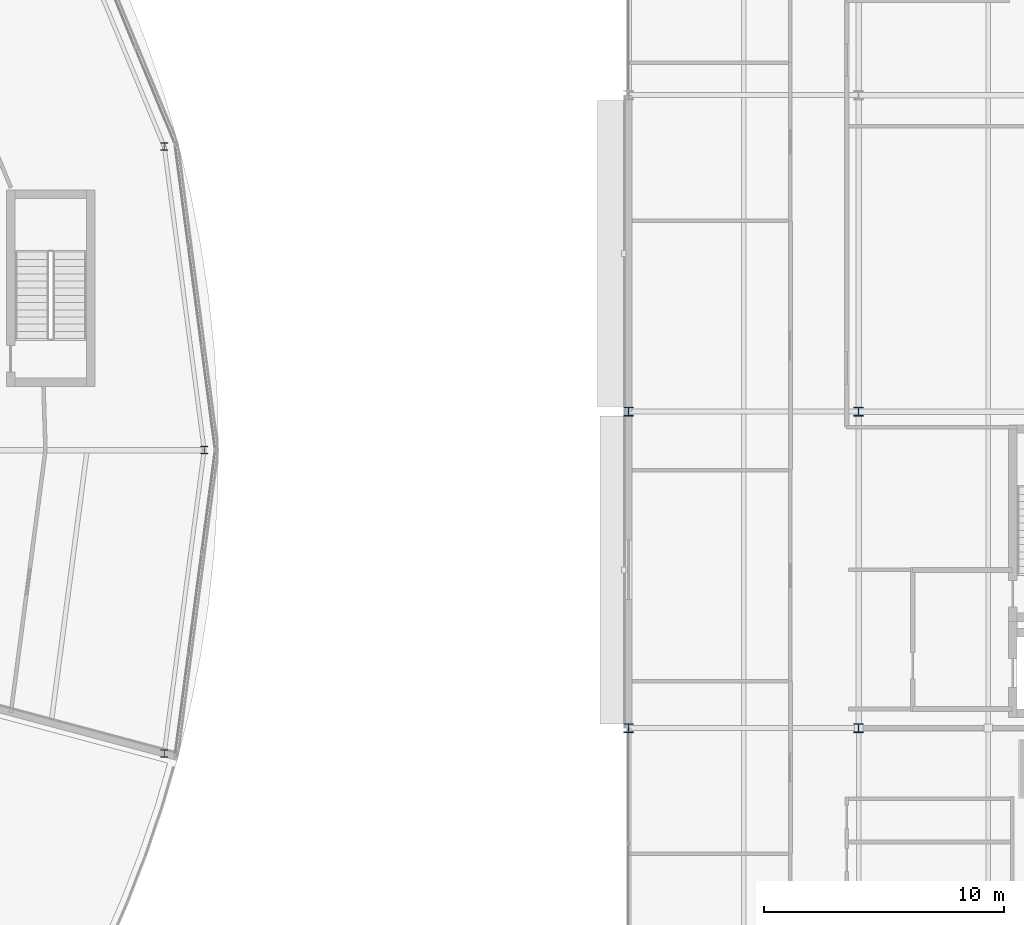
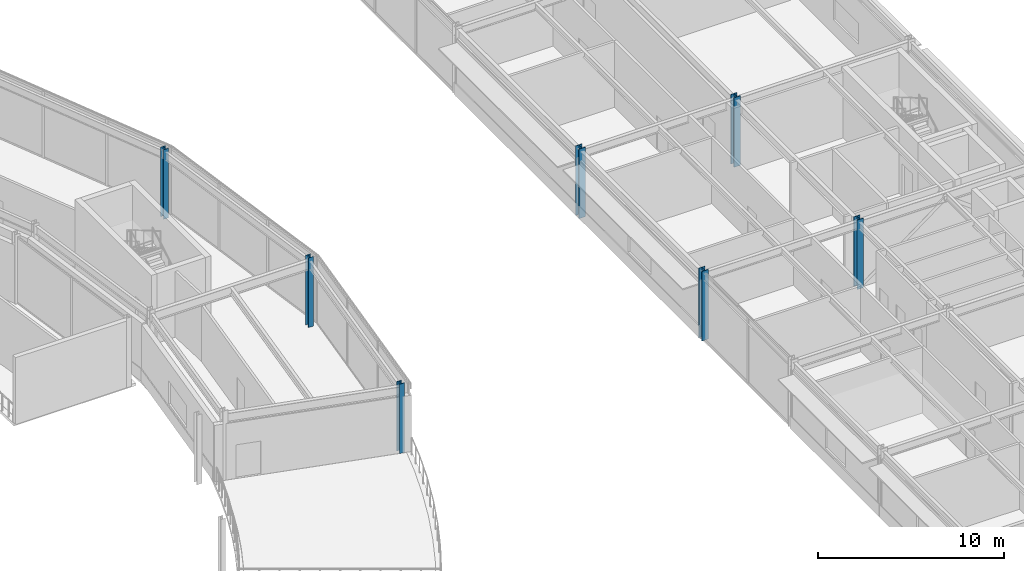
# One storey, part 14 of 116: 7 columns.
"""IFC4 building model written with IfcOpenShell, lengths in metres."""

from ifc_helpers import new_model, si_unit, direction, frame, origin, origin_2d, place, context, subcontext, project, spatial, i_section, extrude, material, material_profile, profile_set, type_object, element, save


model = new_model("IFC4")

# Units and contexts
model_context = context("Model", 3, precision=1e-05, world=origin(), true_north=direction((0.0, 1.0)))
body_context = subcontext(model_context, "Body", "Model", "MODEL_VIEW")
ifc_project = project(units=[si_unit("LENGTHUNIT", "METRE"), si_unit("AREAUNIT", "SQUARE_METRE"), si_unit("VOLUMEUNIT", "CUBIC_METRE"), si_unit("PLANEANGLEUNIT", "RADIAN"), si_unit("MASSUNIT", "GRAM", prefix="KILO")], contexts=[model_context])

# Site, building, storey
site_placement = place(None, origin())
site = spatial("IfcSite", under=ifc_project, at=site_placement, CompositionType="ELEMENT")
building_placement = place(site_placement, origin())
building = spatial("IfcBuilding", under=site, at=building_placement, Name="Almandine Court Research Institute", CompositionType="ELEMENT")
storey_placement = place(building_placement, frame((0.0, 0.0, 14.35009765625)))
storey = spatial("IfcBuildingStorey", under=building, at=storey_placement, Name="L03", CompositionType="ELEMENT", Elevation=14.35009765625)

# Columns
ifc_material = material(Name="Steel ASTM A992 Grade 50", Category="steel")
ifc_material_profile_1 = material_profile(ifc_material, i_section(OverallWidth=0.39404296875, OverallDepth=0.375, WebThickness=0.02001953125, FlangeThickness=0.031982421875, at=origin_2d()), Name="W360x216")
ifc_profile_set_1 = profile_set([ifc_material_profile_1], Name="Steel ASTM A992 Grade 50")
column_type_1 = type_object("IfcColumnType", Name="Col-C-W02", PredefinedType="COLUMN", material=ifc_profile_set_1)
for number, where, z_axis, x_axis, name in (
    (1, (153.60009765625, 44.39990234375, 0.0), (0.0, 0.0, 1.0), (1.0, 0.0, 0.0), "L03 V4 Column V4-X2Y5"),
    (2, (153.60009765625, 57.60009765625, 0.0), (0.0, 0.0, 1.0), (1.0, 0.0, 0.0), "L03 V4 Column V4-X2Y6"),
    (3, (163.199951171875, 44.39990234375, 0.0), (0.0, 0.0, 1.0), (1.0, 0.0, 0.0), "L03 V4 Column V4-X3Y5"),
    (4, (163.199951171875, 57.60009765625, 0.0), (0.0, 0.0, 1.0), (1.0, 0.0, 0.0), "L03 V4 Column V4-X3Y6"),
):
    element("IfcColumn", number, at=place(storey_placement, frame(where, z_axis=z_axis, x_axis=x_axis)), inside=storey, type_object=column_type_1, Name=name, PredefinedType="COLUMN", context=body_context, shape_type="SweptSolid", body=[
        extrude(i_section(OverallWidth=0.39404296875, OverallDepth=0.375, WebThickness=0.02001953125, FlangeThickness=0.031982421875, at=origin_2d()), origin(), (0.0, 0.0, 1.0), 4.5498046875),
    ])
ifc_material_profile_2 = material_profile(ifc_material, i_section(OverallWidth=0.305908203125, OverallDepth=0.31103515625, WebThickness=0.010986328125, FlangeThickness=0.01708984375, at=origin_2d()), Name="W310x107")
ifc_profile_set_2 = profile_set([ifc_material_profile_2], Name="Steel ASTM A992 Grade 50")
column_type_2 = type_object("IfcColumnType", Name="Col-C-W08-E", PredefinedType="COLUMN", material=ifc_profile_set_2)
for number, where, z_axis, x_axis, name in (
    (5, (135.89990234375, 56.0, 0.0), (0.0, 0.0, 1.0), (1.0, 0.0, 0.0), "L03 V5 Column V5-OUT-S00"),
    (6, (134.23388671875, 68.656005859375, 0.0), (0.0, 0.0, 1.0), (1.0, 0.0, 0.0), "L03 V5 Column V5-OUT-S01"),
    (7, (134.23388671875, 43.343994140625, 0.0), (0.0, 0.0, 1.0), (1.0, 0.0, 0.0), "L03 V5 Column V5-OUT-S23"),
):
    element("IfcColumn", number, at=place(storey_placement, frame(where, z_axis=z_axis, x_axis=x_axis)), inside=storey, type_object=column_type_2, Name=name, PredefinedType="COLUMN", context=body_context, shape_type="SweptSolid", body=[
        extrude(i_section(OverallWidth=0.305908203125, OverallDepth=0.31103515625, WebThickness=0.010986328125, FlangeThickness=0.01708984375, at=origin_2d()), origin(), (0.0, 0.0, 1.0), 4.5498046875),
    ])

save(model, "model.ifc")
